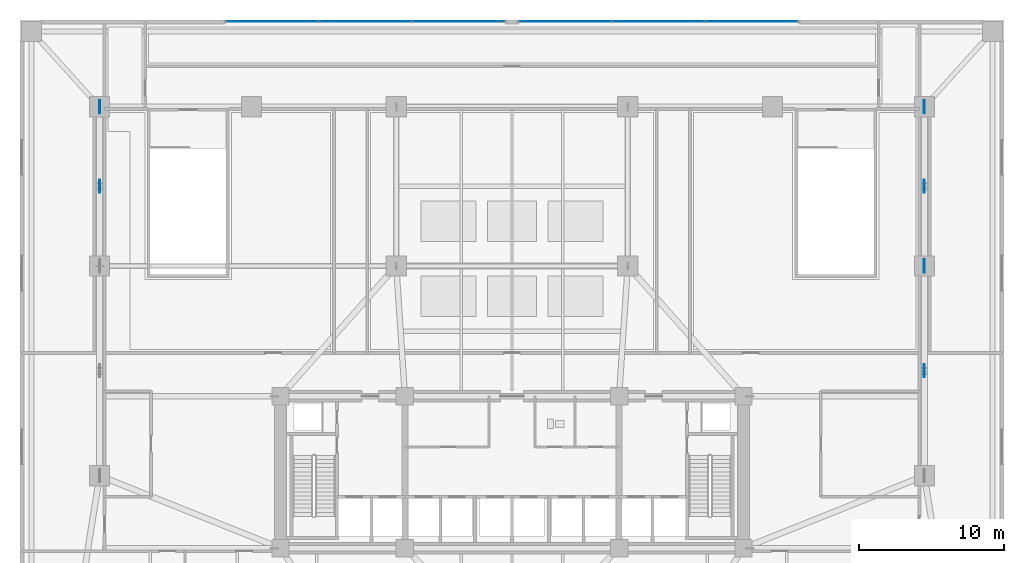
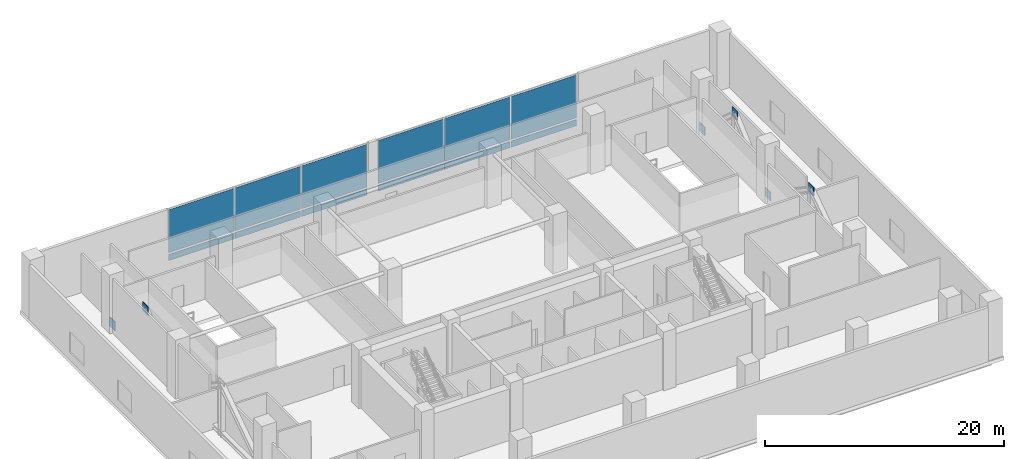
# One storey, part 8 of 16: 18 plates, 2 elements without a shape of their own.
"""IFC4 building model written with IfcOpenShell, lengths in metres."""

from ifc_helpers import new_model, si_unit, direction, frame, origin, origin_2d, place, context, subcontext, project, spatial, rectangle, extrude, material, layer, layer_set, type_object, element, aggregate, save


model = new_model("IFC4")

# Units and contexts
model_context = context("Model", 3, precision=1e-05, world=origin(), true_north=direction((0.0, 1.0)))
body_context = subcontext(model_context, "Body", "Model", "MODEL_VIEW")
ifc_project = project(units=[si_unit("LENGTHUNIT", "METRE"), si_unit("AREAUNIT", "SQUARE_METRE"), si_unit("VOLUMEUNIT", "CUBIC_METRE"), si_unit("PLANEANGLEUNIT", "RADIAN"), si_unit("MASSUNIT", "GRAM", prefix="KILO")], contexts=[model_context])

# Site, building, storey
site_placement = place(None, origin())
site = spatial("IfcSite", under=ifc_project, at=site_placement, CompositionType="ELEMENT")
building_placement = place(site_placement, origin())
building = spatial("IfcBuilding", under=site, at=building_placement, Name="Solmavex Isthmus Hotel", CompositionType="ELEMENT")
storey_placement = place(building_placement, frame((0.0, 0.0, 20.39990234375)))
storey = spatial("IfcBuildingStorey", under=building, at=storey_placement, Name="L05", CompositionType="ELEMENT", Elevation=20.39990234375)

# Curtain wall, plates
ifc_material_1 = material(Name="Aluminium alloy 6063-T6", Category="aluminium")
curtain_wall_type = type_object("IfcCurtainWallType", Name="CW-SYS-01", PredefinedType="NOTDEFINED", material=ifc_material_1)
curtain_wall_1_placement = place(storey_placement, origin())
curtain_wall_1 = element("IfcCurtainWall", 1, at=curtain_wall_1_placement, inside=storey, type_object=curtain_wall_type, Name="Stick Curtain Wall CWL-L05-NW", PredefinedType="NOTDEFINED")
ifc_material_2 = material(Name="Clear low-E laminated glass", Category="glass")
ifc_layer_1 = layer(ifc_material_2, 0.035888671875)
ifc_layer_set_1 = layer_set([ifc_layer_1], Name="Clear low-E laminated glass")
plate_type_1 = type_object("IfcPlateType", Name="CW-SYS-01-PNL", PredefinedType="CURTAIN_PANEL", material=ifc_layer_set_1)
plate_1_placement = place(storey_placement, frame((-16.554931640625, 23.3798828125, 0.18017578125), z_axis=(0.0, 0.0, 1.0), x_axis=(1.0, 0.0, 0.0)))
plate_1 = element("IfcPlate", 2, at=plate_1_placement, type_object=plate_type_1, Name="CW-01 panel 1.1", PredefinedType="CURTAIN_PANEL", context=body_context, shape_type="SweptSolid", body=[
    extrude(rectangle(XDim=6.330078125, YDim=0.035888671875, at=origin_2d()), origin(), (0.0, 0.0, 1.0), 0.6298828125),
])
plate_2_placement = place(storey_placement, frame((-16.554931640625, 23.3798828125, 0.990234375), z_axis=(0.0, 0.0, 1.0), x_axis=(1.0, 0.0, 0.0)))
plate_2 = element("IfcPlate", 3, at=plate_2_placement, type_object=plate_type_1, Name="CW-01 panel 1.2", PredefinedType="CURTAIN_PANEL", context=body_context, shape_type="SweptSolid", body=[
    extrude(rectangle(XDim=6.330078125, YDim=0.035888671875, at=origin_2d()), origin(), (0.0, 0.0, 1.0), 4.3798828125),
])
plate_3_placement = place(storey_placement, frame((-10.125, 23.3798828125, 0.18017578125), z_axis=(0.0, 0.0, 1.0), x_axis=(1.0, 0.0, 0.0)))
plate_3 = element("IfcPlate", 4, at=plate_3_placement, type_object=plate_type_1, Name="CW-01 panel 2.1", PredefinedType="CURTAIN_PANEL", context=body_context, shape_type="SweptSolid", body=[
    extrude(rectangle(XDim=6.3701171875, YDim=0.035888671875, at=origin_2d()), origin(), (0.0, 0.0, 1.0), 0.6298828125),
])
plate_4_placement = place(storey_placement, frame((-10.125, 23.3798828125, 0.990234375), z_axis=(0.0, 0.0, 1.0), x_axis=(1.0, 0.0, 0.0)))
plate_4 = element("IfcPlate", 5, at=plate_4_placement, type_object=plate_type_1, Name="CW-01 panel 2.2", PredefinedType="CURTAIN_PANEL", context=body_context, shape_type="SweptSolid", body=[
    extrude(rectangle(XDim=6.3701171875, YDim=0.035888671875, at=origin_2d()), origin(), (0.0, 0.0, 1.0), 4.3798828125),
])
plate_5_placement = place(storey_placement, frame((-3.695068359375, 23.3798828125, 0.18017578125), z_axis=(0.0, 0.0, 1.0), x_axis=(1.0, 0.0, 0.0)))
plate_5 = element("IfcPlate", 6, at=plate_5_placement, type_object=plate_type_1, Name="CW-01 panel 3.1", PredefinedType="CURTAIN_PANEL", context=body_context, shape_type="SweptSolid", body=[
    extrude(rectangle(XDim=6.330078125, YDim=0.035888671875, at=origin_2d()), origin(), (0.0, 0.0, 1.0), 0.6298828125),
])
plate_6_placement = place(storey_placement, frame((-3.695068359375, 23.3798828125, 0.990234375), z_axis=(0.0, 0.0, 1.0), x_axis=(1.0, 0.0, 0.0)))
plate_6 = element("IfcPlate", 7, at=plate_6_placement, type_object=plate_type_1, Name="CW-01 panel 3.2", PredefinedType="CURTAIN_PANEL", context=body_context, shape_type="SweptSolid", body=[
    extrude(rectangle(XDim=6.330078125, YDim=0.035888671875, at=origin_2d()), origin(), (0.0, 0.0, 1.0), 4.3798828125),
])
aggregate(curtain_wall_1, [plate_1, plate_2, plate_3, plate_4, plate_5, plate_6])

curtain_wall_2_placement = place(storey_placement, origin())
curtain_wall_2 = element("IfcCurtainWall", 8, at=curtain_wall_2_placement, inside=storey, type_object=curtain_wall_type, Name="Stick Curtain Wall CWL-L05-NE", PredefinedType="NOTDEFINED")
plate_7_placement = place(storey_placement, frame((3.695068359375, 23.3798828125, 0.18017578125), z_axis=(0.0, 0.0, 1.0), x_axis=(1.0, 0.0, 0.0)))
plate_7 = element("IfcPlate", 9, at=plate_7_placement, type_object=plate_type_1, Name="CW-01 panel 1.1", PredefinedType="CURTAIN_PANEL", context=body_context, shape_type="SweptSolid", body=[
    extrude(rectangle(XDim=6.330078125, YDim=0.035888671875, at=origin_2d()), origin(), (0.0, 0.0, 1.0), 0.6298828125),
])
plate_8_placement = place(storey_placement, frame((3.695068359375, 23.3798828125, 0.990234375), z_axis=(0.0, 0.0, 1.0), x_axis=(1.0, 0.0, 0.0)))
plate_8 = element("IfcPlate", 10, at=plate_8_placement, type_object=plate_type_1, Name="CW-01 panel 1.2", PredefinedType="CURTAIN_PANEL", context=body_context, shape_type="SweptSolid", body=[
    extrude(rectangle(XDim=6.330078125, YDim=0.035888671875, at=origin_2d()), origin(), (0.0, 0.0, 1.0), 4.3798828125),
])
plate_9_placement = place(storey_placement, frame((10.125, 23.3798828125, 0.18017578125), z_axis=(0.0, 0.0, 1.0), x_axis=(1.0, 0.0, 0.0)))
plate_9 = element("IfcPlate", 11, at=plate_9_placement, type_object=plate_type_1, Name="CW-01 panel 2.1", PredefinedType="CURTAIN_PANEL", context=body_context, shape_type="SweptSolid", body=[
    extrude(rectangle(XDim=6.3701171875, YDim=0.035888671875, at=origin_2d()), origin(), (0.0, 0.0, 1.0), 0.6298828125),
])
plate_10_placement = place(storey_placement, frame((10.125, 23.3798828125, 0.990234375), z_axis=(0.0, 0.0, 1.0), x_axis=(1.0, 0.0, 0.0)))
plate_10 = element("IfcPlate", 12, at=plate_10_placement, type_object=plate_type_1, Name="CW-01 panel 2.2", PredefinedType="CURTAIN_PANEL", context=body_context, shape_type="SweptSolid", body=[
    extrude(rectangle(XDim=6.3701171875, YDim=0.035888671875, at=origin_2d()), origin(), (0.0, 0.0, 1.0), 4.3798828125),
])
plate_11_placement = place(storey_placement, frame((16.554931640625, 23.3798828125, 0.18017578125), z_axis=(0.0, 0.0, 1.0), x_axis=(1.0, 0.0, 0.0)))
plate_11 = element("IfcPlate", 13, at=plate_11_placement, type_object=plate_type_1, Name="CW-01 panel 3.1", PredefinedType="CURTAIN_PANEL", context=body_context, shape_type="SweptSolid", body=[
    extrude(rectangle(XDim=6.330078125, YDim=0.035888671875, at=origin_2d()), origin(), (0.0, 0.0, 1.0), 0.6298828125),
])
plate_12_placement = place(storey_placement, frame((16.554931640625, 23.3798828125, 0.990234375), z_axis=(0.0, 0.0, 1.0), x_axis=(1.0, 0.0, 0.0)))
plate_12 = element("IfcPlate", 14, at=plate_12_placement, type_object=plate_type_1, Name="CW-01 panel 3.2", PredefinedType="CURTAIN_PANEL", context=body_context, shape_type="SweptSolid", body=[
    extrude(rectangle(XDim=6.330078125, YDim=0.035888671875, at=origin_2d()), origin(), (0.0, 0.0, 1.0), 4.3798828125),
])
aggregate(curtain_wall_2, [plate_7, plate_8, plate_9, plate_10, plate_11, plate_12])

# Plates
ifc_material_3 = material(Name="Steel ASTM A572 Grade 50", Category="steel")
ifc_layer_2 = layer(ifc_material_3, 0.06005859375)
ifc_layer_set_2 = layer_set([ifc_layer_2], Name="Steel ASTM A572 Grade 50")
plate_type_2 = type_object("IfcPlateType", Name="PLT-GUSSET-60", PredefinedType="USERDEFINED", material=ifc_layer_set_2)
for number, where, z_axis, x_axis, name in (
    (15, (-28.5, 12.0, 4.800048828125), (0.0, 0.0, 1.0), (0.0, 1.0, 0.0), "Ballroom Transfer Truss Node Gusset Plate L05 004"),
    (16, (-28.5, 17.5, -0.099853515625), (0.0, 0.0, 1.0), (0.0, 1.0, 0.0), "Ballroom Transfer Truss Node Gusset Plate L05 005"),
    (17, (28.5, -0.75, 4.800048828125), (0.0, 0.0, 1.0), (0.0, 1.0, 0.0), "Ballroom Transfer Truss Node Gusset Plate L05 007"),
    (18, (28.5, 6.5, -0.099853515625), (0.0, 0.0, 1.0), (0.0, 1.0, 0.0), "Ballroom Transfer Truss Node Gusset Plate L05 008"),
    (19, (28.5, 12.0, 4.800048828125), (0.0, 0.0, 1.0), (0.0, 1.0, 0.0), "Ballroom Transfer Truss Node Gusset Plate L05 009"),
    (20, (28.5, 17.5, -0.099853515625), (0.0, 0.0, 1.0), (0.0, 1.0, 0.0), "Ballroom Transfer Truss Node Gusset Plate L05 010"),
):
    element("IfcPlate", number, at=place(storey_placement, frame(where, z_axis=z_axis, x_axis=x_axis)), inside=storey, type_object=plate_type_2, Name=name, ObjectType="GUSSET_PLATE", PredefinedType="USERDEFINED", context=body_context, shape_type="SweptSolid", body=[
        extrude(rectangle(XDim=0.89990234375, YDim=0.06005859375, at=origin_2d()), origin(), (0.0, 0.0, 1.0), 0.89990234375),
    ])

save(model, "model.ifc")
